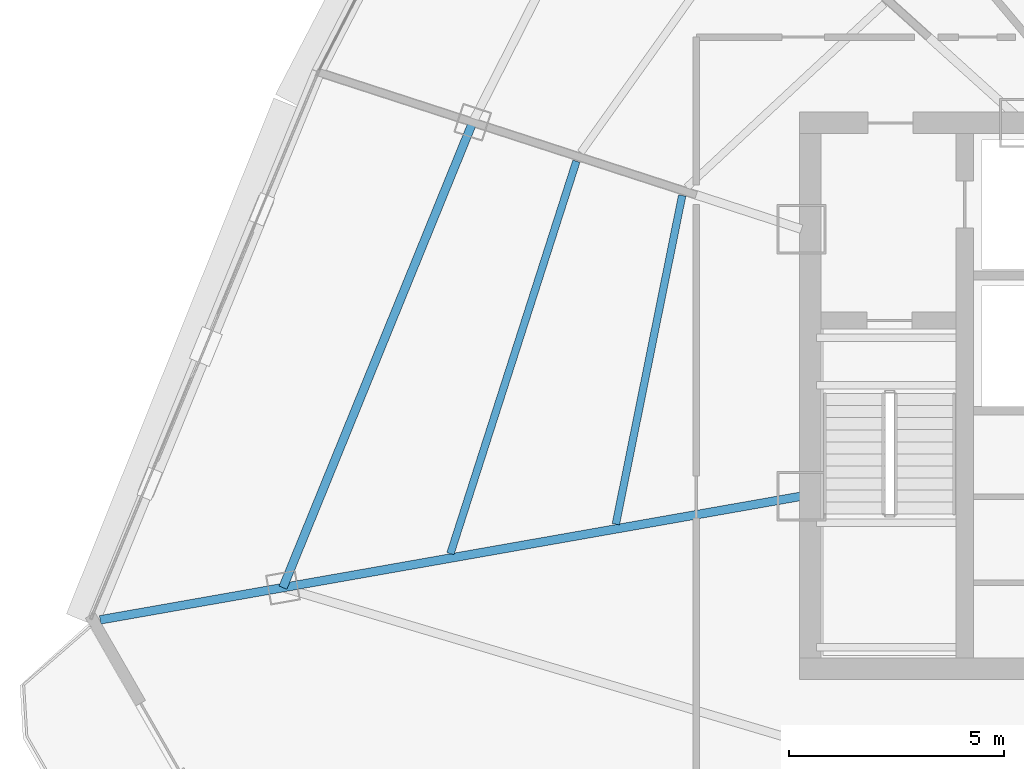
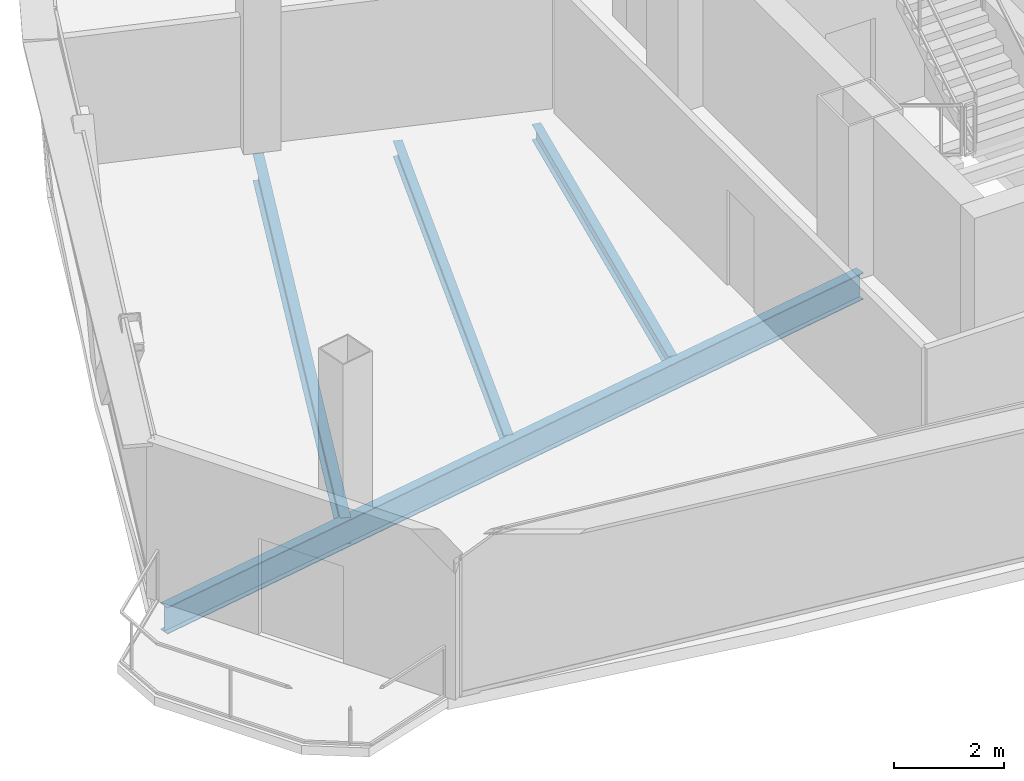
# One storey, part 5 of 33: 4 beams.
"""IFC4 building model written with IfcOpenShell, lengths in metres."""

import ifcopenshell
import ifcopenshell.guid

model = None  # the IFC model being written
_history = None  # IfcOwnerHistory: only IFC2X3 demands one
_inside = {}  # id of a spatial element -> (the spatial element, [elements in it])
_under = {}  # id of a project, library or spatial element -> (it, [spatial elements below it])
_declared = {}  # id of a project -> (the project, [libraries it declares])
_typed = {}  # id of a type object -> (the type object, [elements of that type])
_made_of = {}  # id of a material, layer set ... -> (it, [elements and type objects made of it])


def new_model(schema):
    """Start an empty IFC model of exactly this schema.

    Asked for "IFC4X3", IfcOpenShell would pick the latest addendum, in which some entities
    have other attributes; the version numbers below select the first issue.
    IFC2X3 requires an IfcOwnerHistory on every rooted entity: one is made here for all.
    """
    global model, _history
    if schema == "IFC4X3":
        model = ifcopenshell.file(schema_version=(4, 3, 0, 0))
    else:
        model = ifcopenshell.file(schema=schema)
    _inside.clear()
    _under.clear()
    _declared.clear()
    _typed.clear()
    _made_of.clear()
    _history = None
    if model.schema == "IFC2X3":
        org = make("IfcOrganization", Name="unknown")
        user = make(
            "IfcPersonAndOrganization",
            ThePerson=make("IfcPerson", FamilyName="unknown"),
            TheOrganization=org,
        )
        app = make(
            "IfcApplication",
            ApplicationDeveloper=org,
            Version="unknown",
            ApplicationFullName="unknown",
            ApplicationIdentifier="unknown",
        )
        _history = make(
            "IfcOwnerHistory",
            OwningUser=user,
            OwningApplication=app,
            ChangeAction="ADDED",
            CreationDate=0,
        )
    return model


def make(cls, **values):
    """One entity of the class cls with the attributes given. An attribute that is None is left unset."""
    return model.create_entity(
        cls, **{name: value for name, value in values.items() if value is not None}
    )


def rooted(cls, **values):
    """An entity with a GlobalId (a new one), such as an element, a storey or a relation."""
    return make(cls, GlobalId=ifcopenshell.guid.new(), OwnerHistory=_history, **values)


def si_unit(unit_type, name, prefix=None):
    """IfcSIUnit, for example si_unit("LENGTHUNIT", "METRE", prefix="MILLI")."""
    return make("IfcSIUnit", UnitType=unit_type, Prefix=prefix, Name=name)


def assignment(units):
    """IfcUnitAssignment: the units of a project."""
    return None if units is None else make("IfcUnitAssignment", Units=units)


def point(xyz):
    """IfcCartesianPoint."""
    return None if xyz is None else make("IfcCartesianPoint", Coordinates=xyz)


def direction(xyz):
    """IfcDirection."""
    return None if xyz is None else make("IfcDirection", DirectionRatios=xyz)


def frame(location, z_axis=None, x_axis=None):
    """IfcAxis2Placement3D, a coordinate frame: its origin and axes. An axis left out is left unset."""
    return make(
        "IfcAxis2Placement3D",
        Location=point(location),
        Axis=direction(z_axis),
        RefDirection=direction(x_axis),
    )


def frame_2d(location, x_axis=None):
    """IfcAxis2Placement2D, a coordinate frame in the plane: its origin and x axis."""
    return make(
        "IfcAxis2Placement2D", Location=point(location), RefDirection=direction(x_axis)
    )


def origin():
    """The frame at (0, 0, 0) with its axes left unset."""
    return frame((0.0, 0.0, 0.0))


def origin_2d():
    """The frame at (0, 0) in the plane with its x axis left unset."""
    return frame_2d((0.0, 0.0))


def place(relative_to, where):
    """IfcLocalPlacement: puts the frame where relative to a parent placement (None: the world)."""
    return make(
        "IfcLocalPlacement", PlacementRelTo=relative_to, RelativePlacement=where
    )


def context(
    kind, dimensions, precision=None, world=None, true_north=None, identifier=None
):
    """IfcGeometricRepresentationContext, for example the 3D "Model" context."""
    return make(
        "IfcGeometricRepresentationContext",
        ContextIdentifier=identifier,
        ContextType=kind,
        CoordinateSpaceDimension=dimensions,
        Precision=precision,
        WorldCoordinateSystem=world,
        TrueNorth=true_north,
    )


def subcontext(parent, identifier, kind, view, scale=None):
    """IfcGeometricRepresentationSubContext, for example "Body" below "Model"."""
    return make(
        "IfcGeometricRepresentationSubContext",
        ContextIdentifier=identifier,
        ContextType=kind,
        ParentContext=parent,
        TargetScale=scale,
        TargetView=view,
    )


def project(units=None, contexts=None):
    """IfcProject with its units and contexts."""
    return rooted(
        "IfcProject",
        Name="project",
        RepresentationContexts=contexts,
        UnitsInContext=assignment(units),
    )


def spatial(cls, under=None, at=None, **own):
    """A site, building, storey or space (cls), placed at a placement, below another one or the project."""
    s = rooted(cls, ObjectPlacement=at, **own)
    if under is not None:
        _under.setdefault(under.id(), (under, []))[1].append(s)
    return s


def profile(cls, at=None, kind="AREA", **sizes):
    """A parametric profile (cls). Its sizes go by their IFC names, for example OverallWidth=200.0."""
    return make(cls, ProfileType=kind, Position=at, **sizes)


def i_section(**sizes):
    """IfcIShapeProfileDef."""
    return profile("IfcIShapeProfileDef", **sizes)


def extrude(swept, where, along, depth):
    """IfcExtrudedAreaSolid: the profile swept, set in the frame where, extruded along a direction by depth."""
    return make(
        "IfcExtrudedAreaSolid",
        SweptArea=swept,
        Position=where,
        ExtrudedDirection=direction(along),
        Depth=depth,
    )


def shape(context_of_items, identifier, shape_type, items):
    """IfcShapeRepresentation: the items that make up one representation, for example the "Body"."""
    return make(
        "IfcShapeRepresentation",
        ContextOfItems=context_of_items,
        RepresentationIdentifier=identifier,
        RepresentationType=shape_type,
        Items=items,
    )


def source(mapping_origin, context_of_items, identifier, shape_type, items):
    """IfcRepresentationMap: a shape defined once, which mapped items show again and again."""
    return make(
        "IfcRepresentationMap",
        MappingOrigin=mapping_origin,
        MappedRepresentation=shape(context_of_items, identifier, shape_type, items),
    )


def transform(
    local_origin,
    x_axis=None,
    y_axis=None,
    z_axis=None,
    scale=None,
    scale2=None,
    scale3=None,
    uniform=True,
):
    """IfcCartesianTransformationOperator3D, or its non-uniform kind. x_axis, y_axis, z_axis: its Axis1, 2, 3."""
    if uniform:
        return make(
            "IfcCartesianTransformationOperator3D",
            Axis1=direction(x_axis),
            Axis2=direction(y_axis),
            LocalOrigin=point(local_origin),
            Scale=scale,
            Axis3=direction(z_axis),
        )
    return make(
        "IfcCartesianTransformationOperator3DnonUniform",
        Axis1=direction(x_axis),
        Axis2=direction(y_axis),
        LocalOrigin=point(local_origin),
        Scale=scale,
        Axis3=direction(z_axis),
        Scale2=scale2,
        Scale3=scale3,
    )


def mapped(mapping_source, mapping_target):
    """IfcMappedItem: shows the shape of a source again, moved by a transform."""
    return make(
        "IfcMappedItem", MappingSource=mapping_source, MappingTarget=mapping_target
    )


def material(Name=None, Category=None):
    """IfcMaterial."""
    return make("IfcMaterial", Name=Name, Category=Category)


def material_profile(
    of_material, cross_section, Name=None, Category=None, Priority=None
):
    """IfcMaterialProfile: a cross section and its material."""
    return make(
        "IfcMaterialProfile",
        Name=Name,
        Material=of_material,
        Profile=cross_section,
        Priority=Priority,
        Category=Category,
    )


def profile_set(profiles, Name=None, composite=None):
    """IfcMaterialProfileSet."""
    return make(
        "IfcMaterialProfileSet",
        Name=Name,
        MaterialProfiles=profiles,
        CompositeProfile=composite,
    )


def made_of(thing, what):
    """Note that an element or type object is made of a material, layer set ...; save() writes the relation."""
    if what is not None:
        _made_of.setdefault(what.id(), (what, []))[1].append(thing)
    return thing


def type_object(cls, material=None, **own):
    """A type object (cls), such as IfcWallType, which elements share."""
    return made_of(rooted(cls, **own), material)


def element(
    cls,
    number,
    at=None,
    inside=None,
    cuts=None,
    type_object=None,
    material=None,
    context=None,
    identifier="Body",
    shape_type=None,
    held_by="IfcProductDefinitionShape",
    body=None,
    shapes=None,
    **own,
):
    """One element of the class cls, such as IfcWall. Its Tag is "e" and its number.

    at: its placement. inside: the storey or other place that contains it. cuts: it is an
    opening in that element (IfcRelVoidsElement). A single representation is given by context,
    identifier, shape_type and body (its items); several are given by shapes. held_by: the class
    of the entity that holds the representations. save() writes the other relations.
    """
    e = rooted(cls, Tag="e%d" % number, ObjectPlacement=at, **own)
    if body is not None:
        shapes = [shape(context, identifier, shape_type, body)]
    if shapes is not None:
        e.Representation = make(held_by, Representations=shapes)
    if inside is not None:
        _inside.setdefault(inside.id(), (inside, []))[1].append(e)
    if cuts is not None:
        rooted(
            "IfcRelVoidsElement", RelatingBuildingElement=cuts, RelatedOpeningElement=e
        )
    if type_object is not None:
        _typed.setdefault(type_object.id(), (type_object, []))[1].append(e)
    return made_of(e, material)


def aggregate(whole, parts):
    """IfcRelAggregates: a whole, such as a stair, and the parts it consists of."""
    return rooted("IfcRelAggregates", RelatingObject=whole, RelatedObjects=parts)


def save(model, path):
    """Write the relations noted so far, then the file.

    IfcRelAggregates (storeys below a building ...), IfcRelContainedInSpatialStructure (elements
    in a storey), IfcRelDefinesByType, IfcRelAssociatesMaterial and IfcRelDeclares: one each for
    every whole, place, type object, material and project.
    """
    for whole, parts in _under.values():
        aggregate(whole, parts)
    for where, things in _inside.values():
        rooted(
            "IfcRelContainedInSpatialStructure",
            RelatedElements=things,
            RelatingStructure=where,
        )
    for kind, things in _typed.values():
        rooted("IfcRelDefinesByType", RelatedObjects=things, RelatingType=kind)
    for what, things in _made_of.values():
        rooted("IfcRelAssociatesMaterial", RelatedObjects=things, RelatingMaterial=what)
    for by, libraries in _declared.values():
        rooted("IfcRelDeclares", RelatingContext=by, RelatedDefinitions=libraries)
    model.write(path)


model = new_model("IFC4")

# Units and contexts
model_context = context("Model", 3, precision=1e-05, world=origin(), true_north=direction((0.0, 1.0)))
body_context = subcontext(model_context, "Body", "Model", "MODEL_VIEW")
ifc_project = project(units=[si_unit("LENGTHUNIT", "METRE"), si_unit("AREAUNIT", "SQUARE_METRE"), si_unit("VOLUMEUNIT", "CUBIC_METRE"), si_unit("PLANEANGLEUNIT", "RADIAN"), si_unit("MASSUNIT", "GRAM", prefix="KILO"), si_unit("THERMODYNAMICTEMPERATUREUNIT", "KELVIN"), si_unit("POWERUNIT", "WATT")], contexts=[model_context])

# Site, building, storey
site_placement = place(None, origin())
site = spatial("IfcSite", under=ifc_project, at=site_placement, CompositionType="ELEMENT")
building_placement = place(site_placement, origin())
building = spatial("IfcBuilding", under=site, at=building_placement, Name="Yunzhuo Pagoda Commons", CompositionType="ELEMENT")
storey_placement = place(building_placement, frame((0.0, 0.0, 329.260009765625)))
storey = spatial("IfcBuildingStorey", under=building, at=storey_placement, Name="L82", CompositionType="ELEMENT", Elevation=329.260009765625)

# Beams
ifc_material = material(Name="Structural steel Q355B", Category="steel")
ifc_material_profile_1 = material_profile(ifc_material, i_section(OverallWidth=0.199951171875, OverallDepth=0.60009765625, WebThickness=0.010986328125, FlangeThickness=0.01708984375, at=origin_2d()), Name="Structural steel Q355B")
ifc_profile_set_1 = profile_set([ifc_material_profile_1], Name="Structural steel Q355B")
beam_type_1 = type_object("IfcBeamType", Name="B-RG3 Beam HN 600x200x11x17", PredefinedType="BEAM", material=ifc_profile_set_1)
shared_shape_1 = source(origin(), body_context, "Body", "SweptSolid", [
    extrude(i_section(OverallWidth=0.199951171875, OverallDepth=0.60009765625, WebThickness=0.010986328125, FlangeThickness=0.01708984375, at=origin_2d()), origin(), (0.0, 0.0, 1.0), 11.696533203125),
])
beam_1_placement = place(storey_placement, frame((27.946533203125, 40.2158203125, -0.56005859375), z_axis=(-0.377611800863, -0.925963999219, 0.0), x_axis=(0.925963999219, -0.377611800863, 0.0)))
element("IfcBeam", 1, at=beam_1_placement, inside=storey, type_object=beam_type_1, Name="L82 column-ring beam 11", PredefinedType="BEAM", context=body_context, shape_type="MappedRepresentation", body=[
    mapped(shared_shape_1, transform((0.0, 0.0, 0.0), scale=1.0)),
])
shared_shape_2 = source(origin(), body_context, "Body", "SweptSolid", [
    extrude(i_section(OverallWidth=0.199951171875, OverallDepth=0.60009765625, WebThickness=0.010986328125, FlangeThickness=0.01708984375, at=origin_2d()), origin(), (0.0, 0.0, 1.0), 16.576416015625),
])
beam_2_placement = place(storey_placement, frame((19.275390625, 28.635009765625, -0.56005859375), z_axis=(0.984808457955, 0.173644179692, 0.0), x_axis=(-0.173644179692, 0.984808457955, 0.0)))
element("IfcBeam", 2, at=beam_2_placement, inside=storey, type_object=beam_type_1, Name="L82 radial floor girder F3C4", PredefinedType="BEAM", context=body_context, shape_type="MappedRepresentation", body=[
    mapped(shared_shape_2, transform((0.0, 0.0, 0.0), scale=1.0)),
])
ifc_material_profile_2 = material_profile(ifc_material, i_section(OverallWidth=0.175048828125, OverallDepth=0.35009765625, WebThickness=0.007080078125, FlangeThickness=0.010986328125, at=origin_2d()), Name="Structural steel Q355B")
ifc_profile_set_2 = profile_set([ifc_material_profile_2], Name="Structural steel Q355B")
beam_type_2 = type_object("IfcBeamType", Name="B-JS2 Joist HN 350x175x7x11", PredefinedType="JOIST", material=ifc_profile_set_2)
shared_shape_3 = source(origin(), body_context, "Body", "SweptSolid", [
    extrude(i_section(OverallWidth=0.175048828125, OverallDepth=0.35009765625, WebThickness=0.007080078125, FlangeThickness=0.010986328125, at=origin_2d()), origin(), (0.0, 0.0, 1.0), 7.8056640625),
])
beam_3_placement = place(storey_placement, frame((32.822265625, 38.511474609375, -0.43505859375), z_axis=(-0.197890187791, -0.980224195568, 0.0), x_axis=(0.980224195568, -0.197890187791, 0.0)))
element("IfcBeam", 3, at=beam_3_placement, inside=storey, type_object=beam_type_2, Name="L82 composite ring joist 1.11", PredefinedType="JOIST", context=body_context, shape_type="MappedRepresentation", body=[
    mapped(shared_shape_3, transform((0.0, 0.0, 0.0), scale=1.0)),
])
shared_shape_4 = source(origin(), body_context, "Body", "SweptSolid", [
    extrude(i_section(OverallWidth=0.175048828125, OverallDepth=0.35009765625, WebThickness=0.007080078125, FlangeThickness=0.010986328125, at=origin_2d()), origin(), (0.0, 0.0, 1.0), 9.593994140625),
])
beam_4_placement = place(storey_placement, frame((30.360595703125, 39.310546875, -0.43505859375), z_axis=(-0.305719218499, -0.952121714614, 0.0), x_axis=(0.952121714614, -0.305719218499, 0.0)))
element("IfcBeam", 4, at=beam_4_placement, inside=storey, type_object=beam_type_2, Name="L82 composite ring joist 2.11", PredefinedType="JOIST", context=body_context, shape_type="MappedRepresentation", body=[
    mapped(shared_shape_4, transform((0.0, 0.0, 0.0), scale=1.0)),
])

save(model, "model.ifc")
